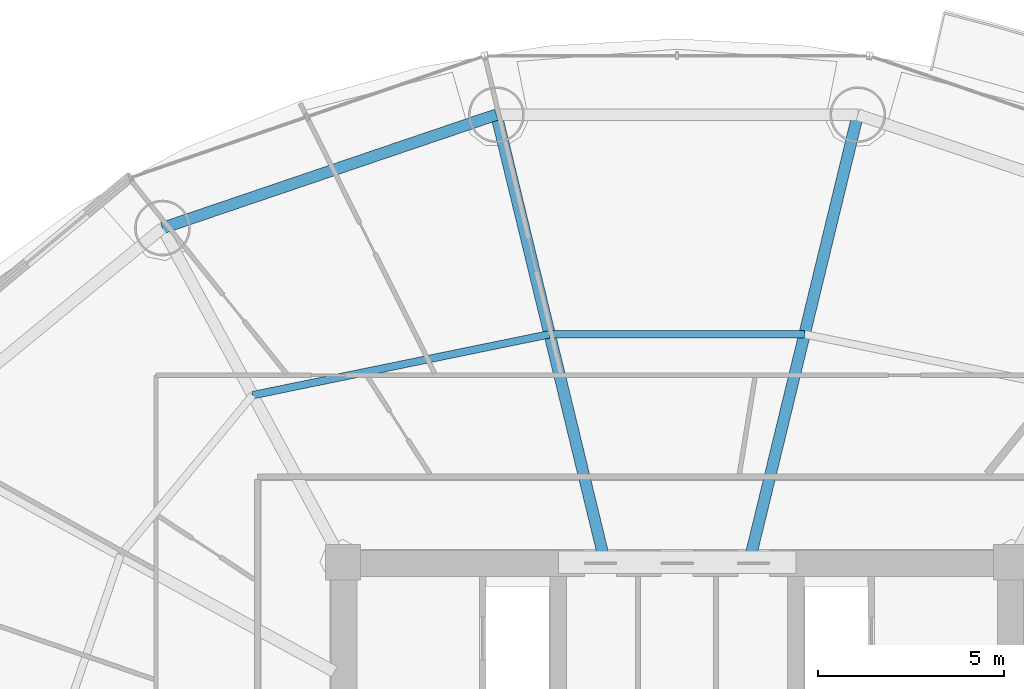
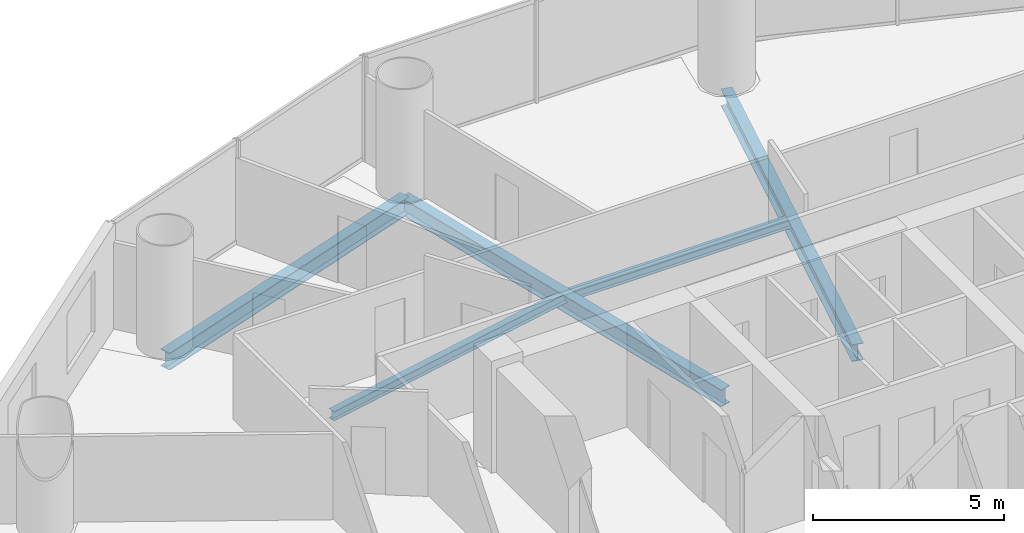
# One storey, part 17 of 29: 5 beams.
"""IFC4 building model written with IfcOpenShell, lengths in metres."""

from ifc_helpers import new_model, si_unit, direction, frame, origin, origin_2d, place, context, subcontext, project, spatial, i_section, extrude, material, material_profile, profile_set, type_object, element, save


model = new_model("IFC4")

# Units and contexts
model_context = context("Model", 3, precision=1e-05, world=origin(), true_north=direction((-0.2419218956, 0.970295726276)))
body_context = subcontext(model_context, "Body", "Model", "MODEL_VIEW")
ifc_project = project(units=[si_unit("LENGTHUNIT", "METRE"), si_unit("AREAUNIT", "SQUARE_METRE"), si_unit("VOLUMEUNIT", "CUBIC_METRE"), si_unit("PLANEANGLEUNIT", "RADIAN"), si_unit("MASSUNIT", "GRAM", prefix="KILO")], contexts=[model_context])

# Site, building, storey
site_placement = place(None, origin())
site = spatial("IfcSite", under=ifc_project, at=site_placement, CompositionType="ELEMENT")
building_placement = place(site_placement, origin())
building = spatial("IfcBuilding", under=site, at=building_placement, Name="Cobrevalo Terracotta Tower", CompositionType="ELEMENT")
storey_placement = place(building_placement, frame((0.0, 0.0, 112.199951171875)))
storey = spatial("IfcBuildingStorey", under=building, at=storey_placement, Name="L29", CompositionType="ELEMENT", Elevation=112.199951171875)

# Beams
ifc_material = material(Name="Steel S355", Category="steel")
ifc_material_profile_1 = material_profile(ifc_material, i_section(OverallWidth=0.31201171875, OverallDepth=0.54296875, WebThickness=0.0126953125, FlangeThickness=0.020263671875, at=origin_2d()), Name="W 530x150")
ifc_profile_set_1 = profile_set([ifc_material_profile_1], Name="Steel S355")
beam_type_1 = type_object("IfcBeamType", Name="Structural Beam W 530x150 (Steel S355)", PredefinedType="BEAM", material=ifc_profile_set_1)
for number, where, z_axis, x_axis, name in (
    (1, (42.867431640625, 46.857177734375, -0.54638671875), (-0.235827379387, -0.971794961467, 0.0), (0.971794961467, -0.235827379387, 0.0), "L29 radial floor girder 04"),
    (2, (33.132568359375, 46.857177734375, -0.54638671875), (0.235827379387, -0.971794961467, 0.0), (0.971794961467, 0.235827379387, 0.0), "L29 radial floor girder 05"),
):
    element("IfcBeam", number, at=place(storey_placement, frame(where, z_axis=z_axis, x_axis=x_axis)), inside=storey, type_object=beam_type_1, Name=name, PredefinedType="BEAM", context=body_context, shape_type="SweptSolid", body=[
        extrude(i_section(OverallWidth=0.31201171875, OverallDepth=0.54296875, WebThickness=0.0126953125, FlangeThickness=0.020263671875, at=origin_2d()), origin(), (0.0, 0.0, 1.0), 12.17041015625),
    ])
ifc_material_profile_2 = material_profile(ifc_material, i_section(OverallWidth=0.2041015625, OverallDepth=0.305908203125, WebThickness=0.008544921875, FlangeThickness=0.0146484375, at=origin_2d()), Name="W 310x67")
ifc_profile_set_2 = profile_set([ifc_material_profile_2], Name="Steel S355")
beam_type_2 = type_object("IfcBeamType", Name="Structural Joist W 310x67 (Steel S355)", PredefinedType="JOIST", material=ifc_profile_set_2)
beam_1_placement = place(storey_placement, frame((41.432373046875, 40.943603515625, -0.427978515625), z_axis=(-1.0, 0.0, 0.0), x_axis=(0.0, -1.0, 0.0)))
element("IfcBeam", 3, at=beam_1_placement, inside=storey, type_object=beam_type_2, Name="L29 circumferential secondary floor joist 04", PredefinedType="JOIST", context=body_context, shape_type="SweptSolid", body=[
    extrude(i_section(OverallWidth=0.2041015625, OverallDepth=0.305908203125, WebThickness=0.008544921875, FlangeThickness=0.0146484375, at=origin_2d()), origin(), (0.0, 0.0, 1.0), 6.86474609375),
])
beam_2_placement = place(storey_placement, frame((34.567626953125, 40.943603515625, -0.427978515625), z_axis=(-0.979574469315, -0.201081722357, 0.0), x_axis=(0.201081722357, -0.979574469315, 0.0)))
element("IfcBeam", 4, at=beam_2_placement, inside=storey, type_object=beam_type_2, Name="L29 circumferential secondary floor joist 05", PredefinedType="JOIST", context=body_context, shape_type="SweptSolid", body=[
    extrude(i_section(OverallWidth=0.2041015625, OverallDepth=0.305908203125, WebThickness=0.008544921875, FlangeThickness=0.0146484375, at=origin_2d()), origin(), (0.0, 0.0, 1.0), 8.1650390625),
])
ifc_material_profile_3 = material_profile(ifc_material, i_section(OverallWidth=0.31201171875, OverallDepth=0.54296875, WebThickness=0.0126953125, FlangeThickness=0.020263671875, at=origin_2d()), Name="W 530x150")
ifc_profile_set_3 = profile_set([ifc_material_profile_3], Name="Steel S355")
beam_type_3 = type_object("IfcBeamType", Name="Structural Spandrel W 530x150 (Steel S355)", PredefinedType="SPANDREL", material=ifc_profile_set_3)
beam_3_placement = place(storey_placement, frame((33.132568359375, 46.857177734375, -0.54638671875), z_axis=(-0.946910528816, -0.32149720126, 0.0), x_axis=(0.32149720126, -0.946910528816, 0.0)))
element("IfcBeam", 5, at=beam_3_placement, inside=storey, type_object=beam_type_3, Name="L29 perimeter ring spandrel 05", PredefinedType="SPANDREL", context=body_context, shape_type="SweptSolid", body=[
    extrude(i_section(OverallWidth=0.31201171875, OverallDepth=0.54296875, WebThickness=0.0126953125, FlangeThickness=0.020263671875, at=origin_2d()), origin(), (0.0, 0.0, 1.0), 9.498291015625),
])

save(model, "model.ifc")
